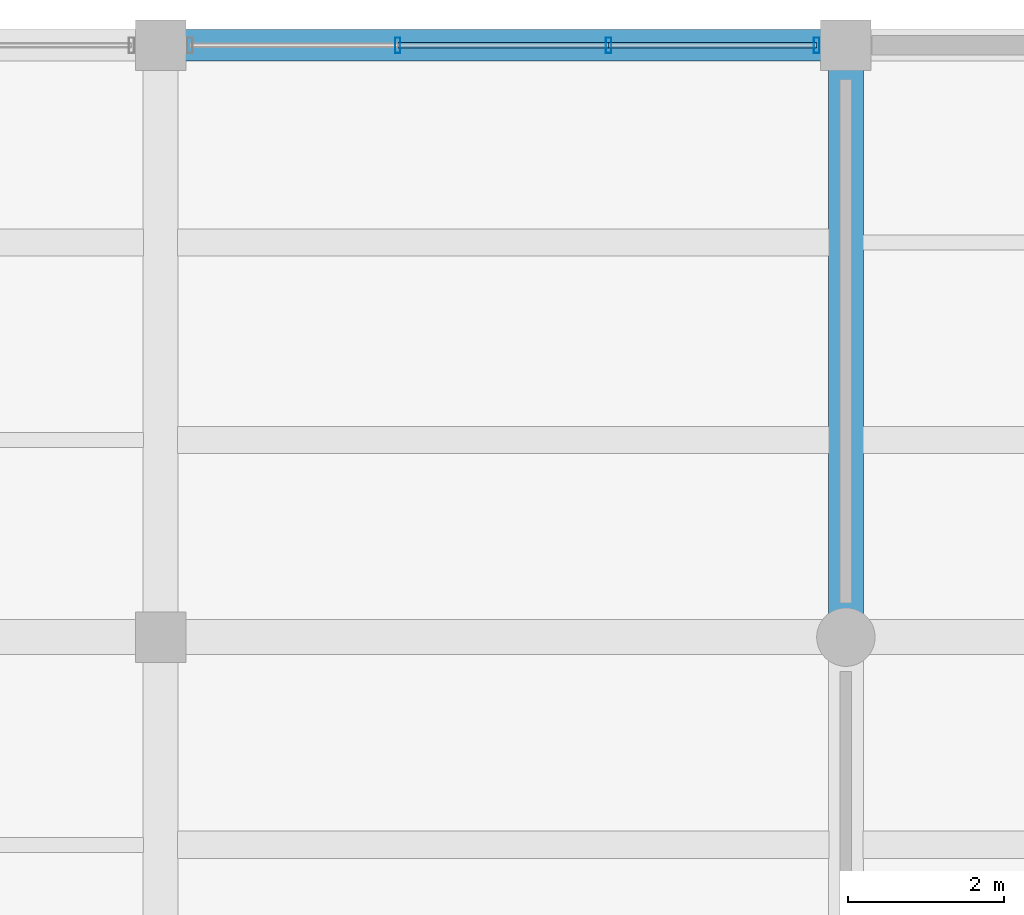
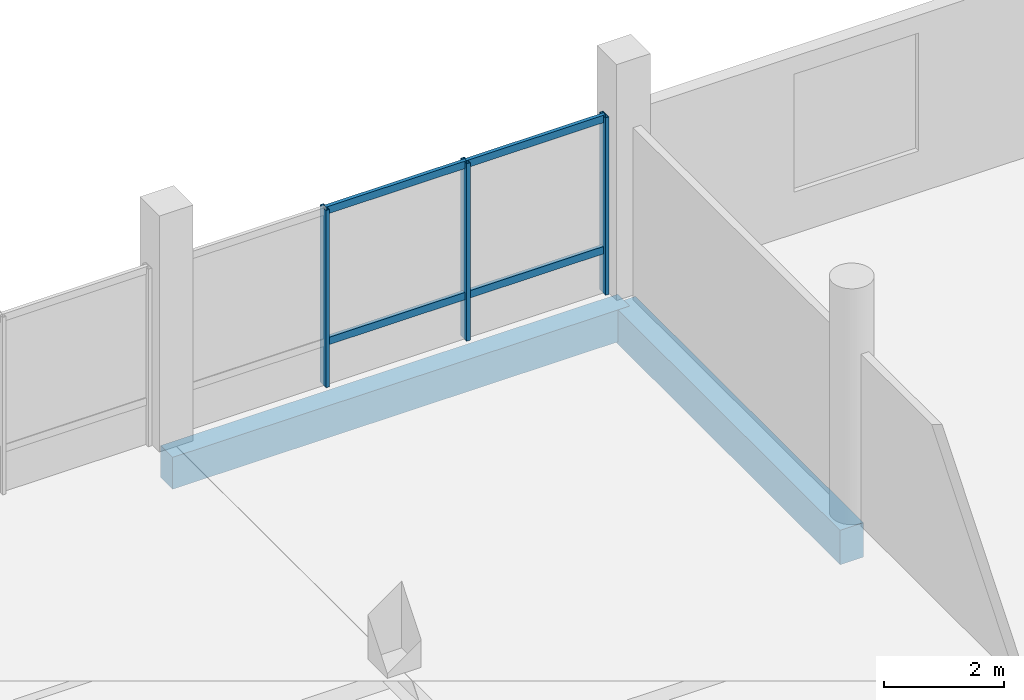
# One storey, part 40 of 71: 7 members, 2 beams, 1 element without a shape of its own.
"""IFC4 building model written with IfcOpenShell, lengths in metres."""

from ifc_helpers import new_model, si_unit, direction, frame, origin, origin_2d, place, context, subcontext, project, spatial, rectangle, hollow_rectangle, extrude, material, layer, layer_set, material_profile, profile_set, type_object, element, aggregate, save


model = new_model("IFC4")

# Units and contexts
model_context = context("Model", 3, precision=1e-05, world=origin(), true_north=direction((0.0, 1.0)))
body_context = subcontext(model_context, "Body", "Model", "MODEL_VIEW")
ifc_project = project(units=[si_unit("LENGTHUNIT", "METRE"), si_unit("AREAUNIT", "SQUARE_METRE"), si_unit("VOLUMEUNIT", "CUBIC_METRE"), si_unit("PLANEANGLEUNIT", "RADIAN"), si_unit("MASSUNIT", "GRAM", prefix="KILO")], contexts=[model_context])

# Site, building, storey
site_placement = place(None, origin())
site = spatial("IfcSite", under=ifc_project, at=site_placement, CompositionType="ELEMENT")
building_placement = place(site_placement, origin())
building = spatial("IfcBuilding", under=site, at=building_placement, Name="Meriwether Solvik Hall", CompositionType="ELEMENT")
storey_placement = place(building_placement, frame((0.0, 0.0, 5.10009765625)))
storey = spatial("IfcBuildingStorey", under=building, at=storey_placement, Name="L01", CompositionType="ELEMENT", Elevation=5.10009765625)

# Beams
ifc_material_1 = material(Name="Concrete C40/50", Category="concrete")
ifc_material_profile_1 = material_profile(ifc_material_1, rectangle(XDim=0.39990234375, YDim=0.64990234375, at=origin_2d()), Name="RCB-400X650")
ifc_profile_set_1 = profile_set([ifc_material_profile_1], Name="Concrete C40/50")
beam_type_1 = type_object("IfcBeamType", Name="BM-RC-400X650", PredefinedType="SPANDREL", material=ifc_profile_set_1)
beam_1_placement = place(storey_placement, frame((114.199951171875, 116.800048828125, -0.625), z_axis=(1.0, 0.0, 0.0), x_axis=(0.0, 1.0, 0.0)))
element("IfcBeam", 1, at=beam_1_placement, inside=storey, type_object=beam_type_1, Name="Podium Girder N:13-14 (L01)", PredefinedType="SPANDREL", context=body_context, shape_type="SweptSolid", body=[
    extrude(rectangle(XDim=0.39990234375, YDim=0.64990234375, at=origin_2d()), origin(), (0.0, 0.0, 1.0), 8.800048828125),
])
ifc_material_2 = material(Name="Concrete C40/50", Category="concrete")
ifc_material_profile_2 = material_profile(ifc_material_2, rectangle(XDim=0.449951171875, YDim=0.699951171875, at=origin_2d()), Name="RCB-450X700")
ifc_profile_set_2 = profile_set([ifc_material_profile_2], Name="Concrete C40/50")
beam_type_2 = type_object("IfcBeamType", Name="BM-RC-450X700", PredefinedType="BEAM", material=ifc_profile_set_2)
beam_2_placement = place(storey_placement, frame((123.0, 109.199951171875, -0.650146484375), z_axis=(0.0, 1.0, 0.0), x_axis=(-1.0, 0.0, 0.0)))
element("IfcBeam", 2, at=beam_2_placement, inside=storey, type_object=beam_type_2, Name="Podium Girder 14:M-N (L01)", PredefinedType="BEAM", context=body_context, shape_type="SweptSolid", body=[
    extrude(rectangle(XDim=0.449951171875, YDim=0.699951171875, at=origin_2d()), origin(), (0.0, 0.0, 1.0), 7.60009765625),
])

# Curtain wall, members
ifc_material_3 = material(Name="Thermally Broken Anodised Aluminium 6063-T6 and Low-E Glass", Category="aluminium")
ifc_layer = layer(ifc_material_3, 0.179931640625)
ifc_layer_set = layer_set([ifc_layer], Name="Thermally Broken Anodised Aluminium 6063-T6 and Low-E Glass")
curtain_wall_type = type_object("IfcCurtainWallType", Name="CW-SF-POD-B", PredefinedType="USERDEFINED", material=ifc_layer_set)
curtain_wall_placement = place(storey_placement, origin())
curtain_wall = element("IfcCurtainWall", 3, at=curtain_wall_placement, inside=storey, type_object=curtain_wall_type, Name="Curtain Wall wing_XN_13_30 (L01)", ObjectType="STICK STOREFRONT GLAZING", PredefinedType="USERDEFINED")
ifc_material_4 = material(Name="Anodised Aluminium 6063-T6", Category="aluminium")
ifc_material_profile_3 = material_profile(ifc_material_4, hollow_rectangle(XDim=0.070068359375, YDim=0.199951171875, WallThickness=0.0048828125, at=origin_2d()), Name="CWM-70X200")
ifc_profile_set_3 = profile_set([ifc_material_profile_3], Name="Anodised Aluminium 6063-T6")
member_type_1 = type_object("IfcMemberType", Name="CW-MUL-70X200", PredefinedType="MULLION", material=ifc_profile_set_3)
member_1_placement = place(storey_placement, frame((117.24560546875, 116.800048828125, 0.0), z_axis=(0.0, 0.0, 1.0), x_axis=(1.0, 0.0, 0.0)))
member_1 = element("IfcMember", 4, at=member_1_placement, type_object=member_type_1, Name="Curtain Wall Mullion 2", PredefinedType="MULLION", context=body_context, shape_type="SweptSolid", body=[
    extrude(hollow_rectangle(XDim=0.070068359375, YDim=0.199951171875, WallThickness=0.0048828125, at=origin_2d()), origin(), (0.0, 0.0, 1.0), 3.60986328125),
])
member_2_placement = place(storey_placement, frame((119.954345703125, 116.800048828125, 0.0), z_axis=(0.0, 0.0, 1.0), x_axis=(1.0, 0.0, 0.0)))
member_2 = element("IfcMember", 5, at=member_2_placement, type_object=member_type_1, Name="Curtain Wall Mullion 3", PredefinedType="MULLION", context=body_context, shape_type="SweptSolid", body=[
    extrude(hollow_rectangle(XDim=0.070068359375, YDim=0.199951171875, WallThickness=0.0048828125, at=origin_2d()), origin(), (0.0, 0.0, 1.0), 3.60986328125),
])
member_3_placement = place(storey_placement, frame((122.625, 116.800048828125, 0.0), z_axis=(0.0, 0.0, 1.0), x_axis=(1.0, 0.0, 0.0)))
member_3 = element("IfcMember", 6, at=member_3_placement, type_object=member_type_1, Name="Curtain Wall Mullion 4", PredefinedType="MULLION", context=body_context, shape_type="SweptSolid", body=[
    extrude(hollow_rectangle(XDim=0.070068359375, YDim=0.199951171875, WallThickness=0.0048828125, at=origin_2d()), origin(), (0.0, 0.0, 1.0), 3.60986328125),
])
ifc_material_5 = material(Name="Anodised Aluminium 6063-T6", Category="aluminium")
ifc_material_profile_4 = material_profile(ifc_material_5, hollow_rectangle(XDim=0.070068359375, YDim=0.14990234375, WallThickness=0.0048828125, at=origin_2d()), Name="CWT-70X150")
ifc_profile_set_4 = profile_set([ifc_material_profile_4], Name="Anodised Aluminium 6063-T6")
member_type_2 = type_object("IfcMemberType", Name="CW-TRN-70X150", PredefinedType="USERDEFINED", material=ifc_profile_set_4)
member_4_placement = place(storey_placement, frame((117.24560546875, 116.800048828125, 0.8798828125), z_axis=(1.0, 0.0, 0.0), x_axis=(0.0, 1.0, 0.0)))
member_4 = element("IfcMember", 7, at=member_4_placement, type_object=member_type_2, Name="Curtain Wall Transom 2-sill", ObjectType="TRANSOM", PredefinedType="USERDEFINED", context=body_context, shape_type="SweptSolid", body=[
    extrude(hollow_rectangle(XDim=0.070068359375, YDim=0.14990234375, WallThickness=0.0048828125, at=origin_2d()), origin(), (0.0, 0.0, 1.0), 2.708740234375),
])
member_5_placement = place(storey_placement, frame((117.24560546875, 116.800048828125, 3.5498046875), z_axis=(1.0, 0.0, 0.0), x_axis=(0.0, 1.0, 0.0)))
member_5 = element("IfcMember", 8, at=member_5_placement, type_object=member_type_2, Name="Curtain Wall Transom 2-head", ObjectType="TRANSOM", PredefinedType="USERDEFINED", context=body_context, shape_type="SweptSolid", body=[
    extrude(hollow_rectangle(XDim=0.070068359375, YDim=0.14990234375, WallThickness=0.0048828125, at=origin_2d()), origin(), (0.0, 0.0, 1.0), 2.708740234375),
])
member_6_placement = place(storey_placement, frame((119.954345703125, 116.800048828125, 0.8798828125), z_axis=(1.0, 0.0, 0.0), x_axis=(0.0, 1.0, 0.0)))
member_6 = element("IfcMember", 9, at=member_6_placement, type_object=member_type_2, Name="Curtain Wall Transom 3-sill", ObjectType="TRANSOM", PredefinedType="USERDEFINED", context=body_context, shape_type="SweptSolid", body=[
    extrude(hollow_rectangle(XDim=0.070068359375, YDim=0.14990234375, WallThickness=0.0048828125, at=origin_2d()), origin(), (0.0, 0.0, 1.0), 2.670654296875),
])
member_7_placement = place(storey_placement, frame((119.954345703125, 116.800048828125, 3.5498046875), z_axis=(1.0, 0.0, 0.0), x_axis=(0.0, 1.0, 0.0)))
member_7 = element("IfcMember", 10, at=member_7_placement, type_object=member_type_2, Name="Curtain Wall Transom 3-head", ObjectType="TRANSOM", PredefinedType="USERDEFINED", context=body_context, shape_type="SweptSolid", body=[
    extrude(hollow_rectangle(XDim=0.070068359375, YDim=0.14990234375, WallThickness=0.0048828125, at=origin_2d()), origin(), (0.0, 0.0, 1.0), 2.670654296875),
])
aggregate(curtain_wall, [member_1, member_2, member_3, member_4, member_5, member_6, member_7])

save(model, "model.ifc")
